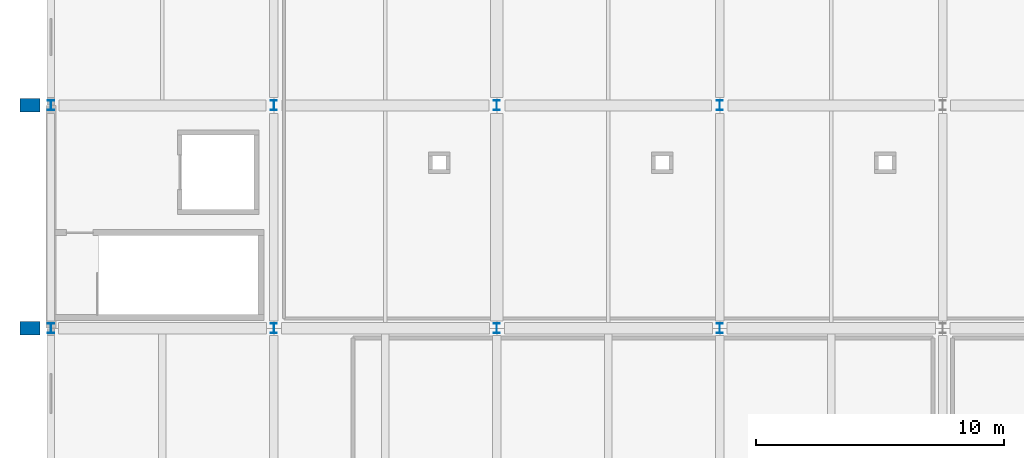
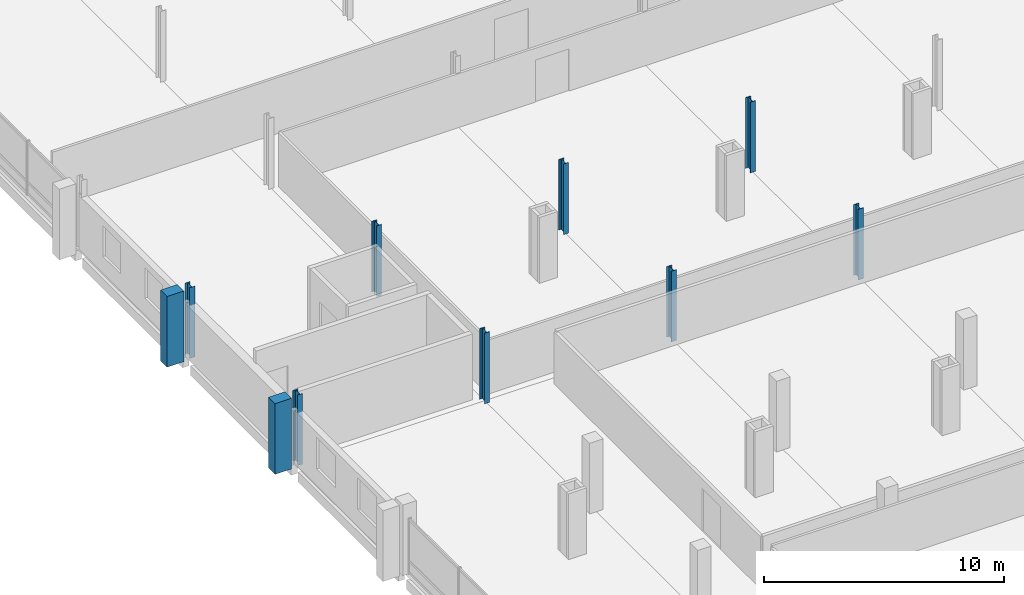
# One storey, part 2 of 132: 10 columns.
"""IFC4 building model written with IfcOpenShell, lengths in metres."""

from ifc_helpers import new_model, si_unit, direction, frame, origin, origin_2d, place, context, subcontext, project, spatial, rectangle, i_section, extrude, material, material_profile, profile_set, type_object, element, save


model = new_model("IFC4")

# Units and contexts
model_context = context("Model", 3, precision=1e-05, world=origin(), true_north=direction((0.0, 1.0)))
body_context = subcontext(model_context, "Body", "Model", "MODEL_VIEW")
ifc_project = project(units=[si_unit("LENGTHUNIT", "METRE"), si_unit("AREAUNIT", "SQUARE_METRE"), si_unit("VOLUMEUNIT", "CUBIC_METRE"), si_unit("PLANEANGLEUNIT", "RADIAN"), si_unit("MASSUNIT", "GRAM", prefix="KILO")], contexts=[model_context])

# Site, building, storey
site_placement = place(None, origin())
site = spatial("IfcSite", under=ifc_project, at=site_placement, CompositionType="ELEMENT")
building_placement = place(site_placement, origin())
building = spatial("IfcBuilding", under=site, at=building_placement, Name="Tharagai Park Tramway Depot", CompositionType="ELEMENT")
storey_placement = place(building_placement, frame((0.0, 0.0, 4.800048828125)))
storey = spatial("IfcBuildingStorey", under=building, at=storey_placement, Name="L01", CompositionType="ELEMENT", Elevation=4.800048828125)

# Columns
ifc_material_1 = material(Name="Steel E350", Category="steel")
ifc_material_profile_1 = material_profile(ifc_material_1, i_section(OverallWidth=0.25, OverallDepth=0.39990234375, WebThickness=0.010498046875, FlangeThickness=0.0126953125, FilletRadius=0.013916015625, at=origin_2d()), Name="ISHB 400")
ifc_profile_set_1 = profile_set([ifc_material_profile_1], Name="Steel E350")
column_type_1 = type_object("IfcColumnType", Name="CL-06", PredefinedType="COLUMN", material=ifc_profile_set_1)
for number, where, z_axis, x_axis, name in (
    (1, (0.0, 45.0, 0.0), (0.0, 0.0, 1.0), (1.0, 0.0, 0.0), "L01 Structural Column CL-06 (0,45)"),
    (2, (0.0, 54.0, 0.0), (0.0, 0.0, 1.0), (1.0, 0.0, 0.0), "L01 Structural Column CL-06 (0,54)"),
    (3, (9.0, 45.0, 0.0), (0.0, 0.0, 1.0), (1.0, 0.0, 0.0), "L01 Structural Column CL-06 (9,45)"),
    (4, (9.0, 54.0, 0.0), (0.0, 0.0, 1.0), (1.0, 0.0, 0.0), "L01 Structural Column CL-06 (9,54)"),
    (5, (18.0, 45.0, 0.0), (0.0, 0.0, 1.0), (1.0, 0.0, 0.0), "L01 Structural Column CL-06 (18,45)"),
    (6, (18.0, 54.0, 0.0), (0.0, 0.0, 1.0), (1.0, 0.0, 0.0), "L01 Structural Column CL-06 (18,54)"),
    (7, (27.0, 45.0, 0.0), (0.0, 0.0, 1.0), (1.0, 0.0, 0.0), "L01 Structural Column CL-06 (27,45)"),
    (8, (27.0, 54.0, 0.0), (0.0, 0.0, 1.0), (1.0, 0.0, 0.0), "L01 Structural Column CL-06 (27,54)"),
):
    element("IfcColumn", number, at=place(storey_placement, frame(where, z_axis=z_axis, x_axis=x_axis)), inside=storey, type_object=column_type_1, Name=name, PredefinedType="COLUMN", context=body_context, shape_type="SweptSolid", body=[
        extrude(i_section(OverallWidth=0.25, OverallDepth=0.39990234375, WebThickness=0.010498046875, FlangeThickness=0.0126953125, FilletRadius=0.013916015625, at=origin_2d()), origin(), (0.0, 0.0, 1.0), 3.599853515625),
    ])
ifc_material_2 = material(Name="Concrete M40", Category="concrete")
ifc_material_profile_2 = material_profile(ifc_material_2, rectangle(XDim=0.550048828125, YDim=0.800048828125, at=origin_2d()), Name="RC 550x800")
ifc_profile_set_2 = profile_set([ifc_material_profile_2], Name="Concrete M40")
column_type_2 = type_object("IfcColumnType", Name="PL-02", PredefinedType="PILASTER", material=ifc_profile_set_2)
for number, where, z_axis, x_axis, name in (
    (9, (-0.85009765625, 45.0, 0.0), (0.0, 0.0, 1.0), (0.0, 1.0, 0.0), "L01 Stepped Gothic Buttress PL-02 W-045"),
    (10, (-0.85009765625, 54.0, 0.0), (0.0, 0.0, 1.0), (0.0, 1.0, 0.0), "L01 Stepped Gothic Buttress PL-02 W-054"),
):
    element("IfcColumn", number, at=place(storey_placement, frame(where, z_axis=z_axis, x_axis=x_axis)), inside=storey, type_object=column_type_2, Name=name, PredefinedType="PILASTER", context=body_context, shape_type="SweptSolid", body=[
        extrude(rectangle(XDim=0.550048828125, YDim=0.800048828125, at=origin_2d()), origin(), (0.0, 0.0, 1.0), 3.599853515625),
    ])

save(model, "model.ifc")
